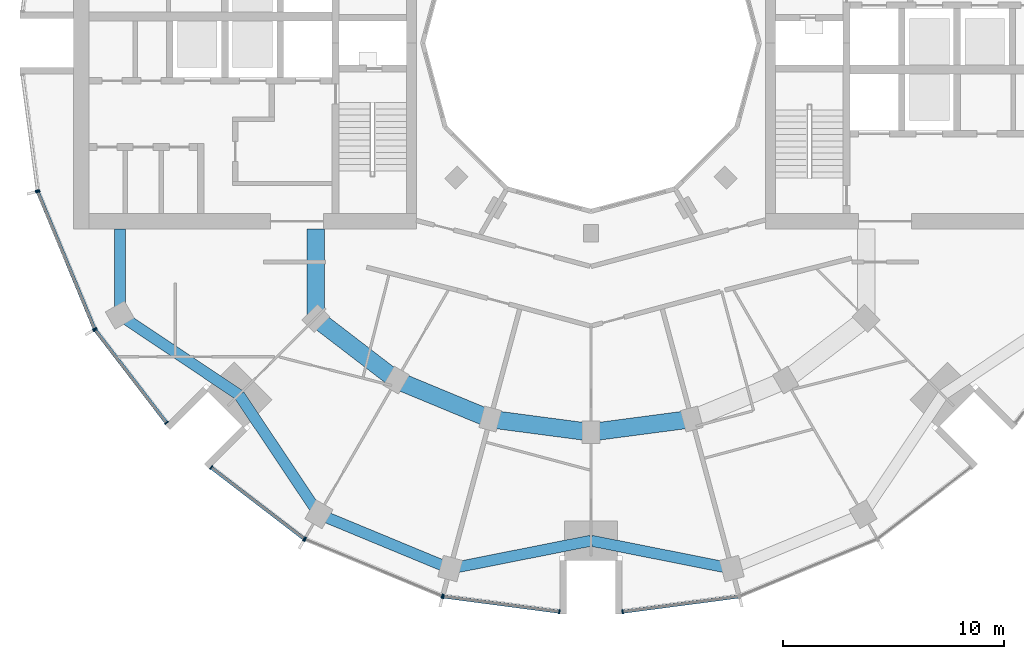
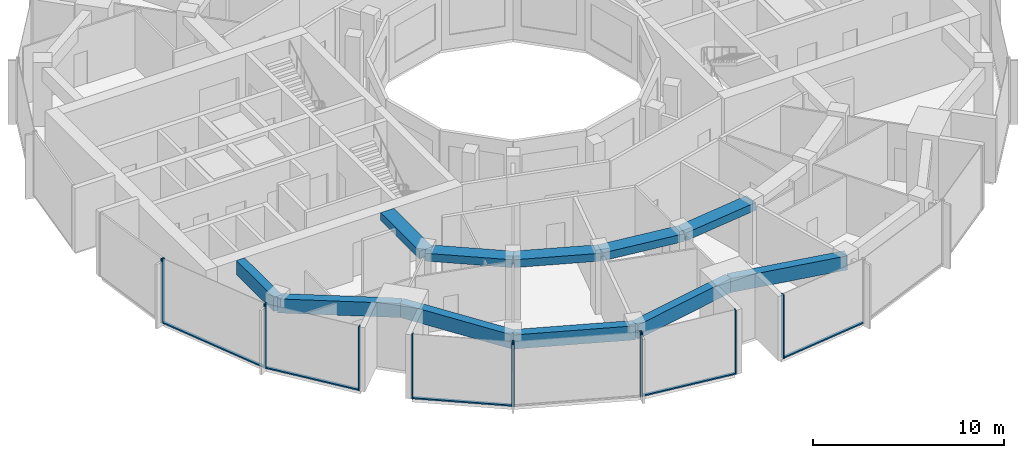
# One storey, part 2 of 15: 17 members, 11 beams, 7 elements without a shape of their own.
"""IFC4 building model written with IfcOpenShell, lengths in metres."""

from ifc_helpers import new_model, si_unit, direction, frame, origin, origin_2d, place, context, subcontext, project, spatial, rectangle, extrude, material, layer, layer_set, material_profile, profile_set, type_object, element, aggregate, save


model = new_model("IFC4")

# Units and contexts
model_context = context("Model", 3, precision=1e-05, world=origin(), true_north=direction((0.0, 1.0)))
body_context = subcontext(model_context, "Body", "Model", "MODEL_VIEW")
ifc_project = project(units=[si_unit("LENGTHUNIT", "METRE"), si_unit("AREAUNIT", "SQUARE_METRE"), si_unit("VOLUMEUNIT", "CUBIC_METRE"), si_unit("PLANEANGLEUNIT", "RADIAN"), si_unit("MASSUNIT", "GRAM", prefix="KILO")], contexts=[model_context])

# Site, building, storey
site_placement = place(None, origin())
site = spatial("IfcSite", under=ifc_project, at=site_placement, CompositionType="ELEMENT")
building_placement = place(site_placement, origin())
building = spatial("IfcBuilding", under=site, at=building_placement, Name="Torre Brocal", CompositionType="ELEMENT")
storey_placement = place(building_placement, frame((0.0, 0.0, 174.10009765625)))
storey = spatial("IfcBuildingStorey", under=building, at=storey_placement, Name="L40", CompositionType="ELEMENT", Elevation=174.10009765625)

# Curtain wall, members
ifc_material_1 = material(Name="Aluminium and glass", Category="aluminium")
ifc_layer_1 = layer(ifc_material_1, 0.199951171875)
ifc_layer_set_1 = layer_set([ifc_layer_1], Name="Aluminium and glass")
curtain_wall_type_1 = type_object("IfcCurtainWallType", Name="CW-1 CURTAIN WALL 4100 HIGH", PredefinedType="NOTDEFINED", material=ifc_layer_set_1)
curtain_wall_1_placement = place(storey_placement, origin())
curtain_wall_1 = element("IfcCurtainWall", 1, at=curtain_wall_1_placement, inside=storey, type_object=curtain_wall_type_1, Name="CW-1 RUN 14", PredefinedType="NOTDEFINED")
ifc_material_2 = material(Name="Aluminium, dark anodised", Category="aluminium")
ifc_material_profile_1 = material_profile(ifc_material_2, rectangle(XDim=0.199951171875, YDim=0.06005859375, at=origin_2d()), Name="CW-1 MULLION 60X200")
ifc_profile_set_1 = profile_set([ifc_material_profile_1], Name="Aluminium, dark anodised")
member_type_1 = type_object("IfcMemberType", Name="CW-1 MULLION 60X200", PredefinedType="MULLION", material=ifc_profile_set_1)
member_1_placement = place(storey_placement, frame((54.994873046875, 68.26904296875, 0.0), z_axis=(0.0, 0.0, 1.0), x_axis=(0.923879532525, 0.382683432333, 0.0)))
member_1 = element("IfcMember", 2, at=member_1_placement, type_object=member_type_1, Name="CW1-4 mullion 1", PredefinedType="MULLION", context=body_context, shape_type="SweptSolid", body=[
    extrude(rectangle(XDim=0.199951171875, YDim=0.06005859375, at=origin_2d()), origin(), (0.0, 0.0, 1.0), 4.099853515625),
])
member_2_placement = place(storey_placement, frame((57.559326171875, 62.078125, 0.0), z_axis=(0.0, 0.0, 1.0), x_axis=(0.923879532525, 0.382683432333, 0.0)))
member_2 = element("IfcMember", 3, at=member_2_placement, type_object=member_type_1, Name="CW1-4 mullion 2", PredefinedType="MULLION", context=body_context, shape_type="SweptSolid", body=[
    extrude(rectangle(XDim=0.199951171875, YDim=0.06005859375, at=origin_2d()), origin(), (0.0, 0.0, 1.0), 4.099853515625),
])

curtain_wall_2_placement = place(storey_placement, origin())
curtain_wall_2 = element("IfcCurtainWall", 4, at=curtain_wall_2_placement, inside=storey, type_object=curtain_wall_type_1, Name="CW-1 RUN 15", PredefinedType="NOTDEFINED")
member_3_placement = place(storey_placement, frame((57.5888671875, 62.026611328125, 0.0), z_axis=(0.0, 0.0, 1.0), x_axis=(0.793353340259, 0.60876142905, 0.0)))
member_3 = element("IfcMember", 5, at=member_3_placement, type_object=member_type_1, Name="CW1-4 mullion 1", PredefinedType="MULLION", context=body_context, shape_type="SweptSolid", body=[
    extrude(rectangle(XDim=0.199951171875, YDim=0.06005859375, at=origin_2d()), origin(), (0.0, 0.0, 1.0), 4.099853515625),
])
member_4_placement = place(storey_placement, frame((60.80859375, 57.83056640625, 0.0), z_axis=(0.0, 0.0, 1.0), x_axis=(0.793353340259, 0.60876142905, 0.0)))
member_4 = element("IfcMember", 6, at=member_4_placement, type_object=member_type_1, Name="CW1-4 mullion 2", PredefinedType="MULLION", context=body_context, shape_type="SweptSolid", body=[
    extrude(rectangle(XDim=0.199951171875, YDim=0.06005859375, at=origin_2d()), origin(), (0.0, 0.0, 1.0), 4.099853515625),
])

curtain_wall_3_placement = place(storey_placement, origin())
curtain_wall_3 = element("IfcCurtainWall", 7, at=curtain_wall_3_placement, inside=storey, type_object=curtain_wall_type_1, Name="CW-1 RUN 16", PredefinedType="NOTDEFINED")
member_5_placement = place(storey_placement, frame((62.83056640625, 55.80859375, 0.0), z_axis=(0.0, 0.0, 1.0), x_axis=(0.60876142905, 0.793353340259, 0.0)))
member_5 = element("IfcMember", 8, at=member_5_placement, type_object=member_type_1, Name="CW1-4 mullion 1", PredefinedType="MULLION", context=body_context, shape_type="SweptSolid", body=[
    extrude(rectangle(XDim=0.199951171875, YDim=0.06005859375, at=origin_2d()), origin(), (0.0, 0.0, 1.0), 4.099853515625),
])
member_6_placement = place(storey_placement, frame((67.026611328125, 52.5888671875, 0.0), z_axis=(0.0, 0.0, 1.0), x_axis=(0.60876142905, 0.793353340259, 0.0)))
member_6 = element("IfcMember", 9, at=member_6_placement, type_object=member_type_1, Name="CW1-4 mullion 2", PredefinedType="MULLION", context=body_context, shape_type="SweptSolid", body=[
    extrude(rectangle(XDim=0.199951171875, YDim=0.06005859375, at=origin_2d()), origin(), (0.0, 0.0, 1.0), 4.099853515625),
])

curtain_wall_4_placement = place(storey_placement, origin())
curtain_wall_4 = element("IfcCurtainWall", 10, at=curtain_wall_4_placement, inside=storey, type_object=curtain_wall_type_1, Name="CW-1 RUN 17", PredefinedType="NOTDEFINED")
member_7_placement = place(storey_placement, frame((67.078125, 52.559326171875, 0.0), z_axis=(0.0, 0.0, 1.0), x_axis=(0.382683432333, 0.923879532525, 0.0)))
member_7 = element("IfcMember", 11, at=member_7_placement, type_object=member_type_1, Name="CW1-4 mullion 1", PredefinedType="MULLION", context=body_context, shape_type="SweptSolid", body=[
    extrude(rectangle(XDim=0.199951171875, YDim=0.06005859375, at=origin_2d()), origin(), (0.0, 0.0, 1.0), 4.099853515625),
])
member_8_placement = place(storey_placement, frame((73.26904296875, 49.994873046875, 0.0), z_axis=(0.0, 0.0, 1.0), x_axis=(0.382683432333, 0.923879532525, 0.0)))
member_8 = element("IfcMember", 12, at=member_8_placement, type_object=member_type_1, Name="CW1-4 mullion 2", PredefinedType="MULLION", context=body_context, shape_type="SweptSolid", body=[
    extrude(rectangle(XDim=0.199951171875, YDim=0.06005859375, at=origin_2d()), origin(), (0.0, 0.0, 1.0), 4.099853515625),
])
aggregate(curtain_wall_4, [member_7, member_8])

curtain_wall_5_placement = place(storey_placement, origin())
curtain_wall_5 = element("IfcCurtainWall", 13, at=curtain_wall_5_placement, inside=storey, type_object=curtain_wall_type_1, Name="CW-1 RUN 18", PredefinedType="NOTDEFINED")
member_9_placement = place(storey_placement, frame((73.32666015625, 49.9794921875, 0.0), z_axis=(0.0, 0.0, 1.0), x_axis=(0.13052619222, 0.991444861374, 0.0)))
member_9 = element("IfcMember", 14, at=member_9_placement, type_object=member_type_1, Name="CW1-4 mullion 1", PredefinedType="MULLION", context=body_context, shape_type="SweptSolid", body=[
    extrude(rectangle(XDim=0.199951171875, YDim=0.06005859375, at=origin_2d()), origin(), (0.0, 0.0, 1.0), 4.099853515625),
])
member_10_placement = place(storey_placement, frame((78.5703125, 49.2890625, 0.0), z_axis=(0.0, 0.0, 1.0), x_axis=(0.13052619222, 0.991444861374, 0.0)))
member_10 = element("IfcMember", 15, at=member_10_placement, type_object=member_type_1, Name="CW1-4 mullion 2", PredefinedType="MULLION", context=body_context, shape_type="SweptSolid", body=[
    extrude(rectangle(XDim=0.199951171875, YDim=0.06005859375, at=origin_2d()), origin(), (0.0, 0.0, 1.0), 4.099853515625),
])

# Curtain wall, member
curtain_wall_6_placement = place(storey_placement, origin())
curtain_wall_6 = element("IfcCurtainWall", 16, at=curtain_wall_6_placement, inside=storey, type_object=curtain_wall_type_1, Name="CW-1 RUN 19", PredefinedType="NOTDEFINED")
member_11_placement = place(storey_placement, frame((81.4296875, 49.2890625, 0.0), z_axis=(0.0, 0.0, 1.0), x_axis=(-0.13052619222, 0.991444861374, 0.0)))
member_11 = element("IfcMember", 17, at=member_11_placement, type_object=member_type_1, Name="CW1-4 mullion 1", PredefinedType="MULLION", context=body_context, shape_type="SweptSolid", body=[
    extrude(rectangle(XDim=0.199951171875, YDim=0.06005859375, at=origin_2d()), origin(), (0.0, 0.0, 1.0), 4.099853515625),
])

# Member
ifc_material_3 = material(Name="Aluminium, dark anodised", Category="aluminium")
ifc_material_profile_2 = material_profile(ifc_material_3, rectangle(XDim=0.159912109375, YDim=0.080078125, at=origin_2d()), Name="CW-1 TRANSOM 160X80")
ifc_profile_set_2 = profile_set([ifc_material_profile_2], Name="Aluminium, dark anodised")
member_type_2 = type_object("IfcMemberType", Name="CW-1 TRANSOM 160X80", PredefinedType="USERDEFINED", material=ifc_profile_set_2)
member_12_placement = place(storey_placement, frame((55.00634765625, 68.241455078125, 0.039794921875), z_axis=(0.38266457234, -0.923887344364, 0.0), x_axis=(0.923887344364, 0.38266457234, 0.0)))
member_12 = element("IfcMember", 18, at=member_12_placement, type_object=member_type_2, Name="CW1-4 transom 1.1", ObjectType="TRANSOM", PredefinedType="USERDEFINED", context=body_context, shape_type="SweptSolid", body=[
    extrude(rectangle(XDim=0.159912109375, YDim=0.080078125, at=origin_2d()), origin(), (0.0, 0.0, 1.0), 6.640869140625),
])

aggregate(curtain_wall_1, [member_1, member_2, member_12])

member_13_placement = place(storey_placement, frame((57.607177734375, 62.0029296875, 0.039794921875), z_axis=(0.60874908096, -0.79336281513, 0.0), x_axis=(0.79336281513, 0.60874908096, 0.0)))
member_13 = element("IfcMember", 19, at=member_13_placement, type_object=member_type_2, Name="CW1-4 transom 1.1", ObjectType="TRANSOM", PredefinedType="USERDEFINED", context=body_context, shape_type="SweptSolid", body=[
    extrude(rectangle(XDim=0.159912109375, YDim=0.080078125, at=origin_2d()), origin(), (0.0, 0.0, 1.0), 5.22900390625),
])

aggregate(curtain_wall_2, [member_3, member_4, member_13])

member_14_placement = place(storey_placement, frame((62.8544921875, 55.790283203125, 0.039794921875), z_axis=(0.79336281513, -0.60874908096, 0.0), x_axis=(0.60874908096, 0.79336281513, 0.0)))
member_14 = element("IfcMember", 20, at=member_14_placement, type_object=member_type_2, Name="CW1-4 transom 1.1", ObjectType="TRANSOM", PredefinedType="USERDEFINED", context=body_context, shape_type="SweptSolid", body=[
    extrude(rectangle(XDim=0.159912109375, YDim=0.080078125, at=origin_2d()), origin(), (0.0, 0.0, 1.0), 5.22900390625),
])

aggregate(curtain_wall_3, [member_5, member_6, member_14])

member_15_placement = place(storey_placement, frame((73.356201171875, 49.9755859375, 0.039794921875), z_axis=(0.991442690863, -0.130542677827, 0.0), x_axis=(0.130542677827, 0.991442690863, 0.0)))
member_15 = element("IfcMember", 21, at=member_15_placement, type_object=member_type_2, Name="CW1-4 transom 1.1", ObjectType="TRANSOM", PredefinedType="USERDEFINED", context=body_context, shape_type="SweptSolid", body=[
    extrude(rectangle(XDim=0.159912109375, YDim=0.080078125, at=origin_2d()), origin(), (0.0, 0.0, 1.0), 5.22900390625),
])

aggregate(curtain_wall_5, [member_9, member_10, member_15])

member_16_placement = place(storey_placement, frame((81.45947265625, 49.29296875, 0.039794921875), z_axis=(0.991442690863, 0.130542677827, 0.0), x_axis=(-0.130542677827, 0.991442690863, 0.0)))
member_16 = element("IfcMember", 22, at=member_16_placement, type_object=member_type_2, Name="CW1-4 transom 1.1", ObjectType="TRANSOM", PredefinedType="USERDEFINED", context=body_context, shape_type="SweptSolid", body=[
    extrude(rectangle(XDim=0.159912109375, YDim=0.080078125, at=origin_2d()), origin(), (0.0, 0.0, 1.0), 5.22900390625),
])

aggregate(curtain_wall_6, [member_11, member_16])

# Curtain wall, member
ifc_material_4 = material(Name="Aluminium and glass", Category="aluminium")
ifc_layer_2 = layer(ifc_material_4, 0.199951171875)
ifc_layer_set_2 = layer_set([ifc_layer_2], Name="Aluminium and glass")
curtain_wall_type_2 = type_object("IfcCurtainWallType", Name="CW-1B CURTAIN WALL 4100 HIGH", PredefinedType="NOTDEFINED", material=ifc_layer_set_2)
curtain_wall_7_placement = place(storey_placement, origin())
curtain_wall_7 = element("IfcCurtainWall", 23, at=curtain_wall_7_placement, inside=storey, type_object=curtain_wall_type_2, Name="CW-1B RUN 13", PredefinedType="NOTDEFINED")
ifc_material_5 = material(Name="Aluminium, dark anodised", Category="aluminium")
ifc_material_profile_3 = material_profile(ifc_material_5, rectangle(XDim=0.199951171875, YDim=0.06005859375, at=origin_2d()), Name="CW-1B MULLION 60X200")
ifc_profile_set_3 = profile_set([ifc_material_profile_3], Name="Aluminium, dark anodised")
member_type_3 = type_object("IfcMemberType", Name="CW-1B MULLION 60X200", PredefinedType="MULLION", material=ifc_profile_set_3)
member_17_placement = place(storey_placement, frame((54.9794921875, 68.32666015625, 0.0), z_axis=(0.0, 0.0, 1.0), x_axis=(0.991444861374, 0.13052619222, 0.0)))
member_17 = element("IfcMember", 24, at=member_17_placement, type_object=member_type_3, Name="CW1B-4 mullion 2", PredefinedType="MULLION", context=body_context, shape_type="SweptSolid", body=[
    extrude(rectangle(XDim=0.199951171875, YDim=0.06005859375, at=origin_2d()), origin(), (0.0, 0.0, 1.0), 4.099853515625),
])
aggregate(curtain_wall_7, [member_17])

# Beams
ifc_material_6 = material(Name="Concrete C50", Category="concrete")
ifc_material_profile_4 = material_profile(ifc_material_6, rectangle(XDim=0.800048828125, YDim=0.5, at=origin_2d()), Name="RC 800X500")
ifc_profile_set_4 = profile_set([ifc_material_profile_4], Name="Concrete C50")
beam_type_1 = type_object("IfcBeamType", Name="RC BEAM 800X500 C50 TOP 3780", PredefinedType="BEAM", material=ifc_profile_set_4)
beam_1_placement = place(storey_placement, frame((67.554931640625, 62.554931640625, 3.52978515625), z_axis=(0.0, 1.0, 0.0), x_axis=(-1.0, 0.0, 0.0)))
element("IfcBeam", 25, at=beam_1_placement, inside=storey, type_object=beam_type_1, Name="Beam BT-32", PredefinedType="BEAM", context=body_context, shape_type="SweptSolid", body=[
    extrude(rectangle(XDim=0.800048828125, YDim=0.5, at=origin_2d()), origin(), (0.0, 0.0, 1.0), 4.045166015625),
])
beam_2_placement = place(storey_placement, frame((67.554931640625, 62.554931640625, 3.52978515625), z_axis=(0.793358265959, -0.6087550097, 0.0), x_axis=(0.6087550097, 0.793358265959, 0.0)))
element("IfcBeam", 26, at=beam_2_placement, inside=storey, type_object=beam_type_1, Name="Beam BT-32", PredefinedType="BEAM", context=body_context, shape_type="SweptSolid", body=[
    extrude(rectangle(XDim=0.800048828125, YDim=0.5, at=origin_2d()), origin(), (0.0, 0.0, 1.0), 4.594482421875),
])
beam_3_placement = place(storey_placement, frame((71.199951171875, 59.758056640625, 3.52978515625), z_axis=(0.923878240166, -0.382686552348, 0.0), x_axis=(0.382686552348, 0.923878240166, 0.0)))
element("IfcBeam", 27, at=beam_3_placement, inside=storey, type_object=beam_type_1, Name="Beam BT-32", PredefinedType="BEAM", context=body_context, shape_type="SweptSolid", body=[
    extrude(rectangle(XDim=0.800048828125, YDim=0.5, at=origin_2d()), origin(), (0.0, 0.0, 1.0), 4.5947265625),
])
for number, where, z_axis, x_axis, name in (
    (28, (75.44482421875, 57.999755859375, 3.52978515625), (0.991440544449, -0.130558978332, 0.0), (0.130558978332, 0.991440544449, 0.0), "Beam BT-32"),
    (29, (80.0, 57.39990234375, 3.52978515625), (0.991440544449, 0.130558978332, 0.0), (-0.130558978332, 0.991440544449, 0.0), "Beam BT-32"),
):
    element("IfcBeam", number, at=place(storey_placement, frame(where, z_axis=z_axis, x_axis=x_axis)), inside=storey, type_object=beam_type_1, Name=name, PredefinedType="BEAM", context=body_context, shape_type="SweptSolid", body=[
        extrude(rectangle(XDim=0.800048828125, YDim=0.5, at=origin_2d()), origin(), (0.0, 0.0, 1.0), 4.594482421875),
    ])
ifc_material_7 = material(Name="Concrete C50", Category="concrete")
ifc_material_profile_5 = material_profile(ifc_material_7, rectangle(XDim=0.5, YDim=0.89990234375, at=origin_2d()), Name="RC 500X900")
ifc_profile_set_5 = profile_set([ifc_material_profile_5], Name="Concrete C50")
beam_type_2 = type_object("IfcBeamType", Name="RC SPANDREL BEAM 500X900 C50 TOP 3780", PredefinedType="SPANDREL", material=ifc_profile_set_5)
beam_4_placement = place(storey_placement, frame((58.69580078125, 62.699951171875, 3.329833984375), z_axis=(0.0, 1.0, 0.0), x_axis=(-1.0, 0.0, 0.0)))
element("IfcBeam", 30, at=beam_4_placement, inside=storey, type_object=beam_type_2, Name="Beam BT-33", PredefinedType="SPANDREL", context=body_context, shape_type="SweptSolid", body=[
    extrude(rectangle(XDim=0.5, YDim=0.89990234375, at=origin_2d()), origin(), (0.0, 0.0, 1.0), 3.900146484375),
])
for number, where, z_axis, x_axis, name in (
    (31, (58.69580078125, 62.699951171875, 3.329833984375), (0.831076844476, -0.556157602282, 0.0), (0.556157602282, 0.831076844476, 0.0), "Beam BT-33"),
    (32, (64.090087890625, 59.090087890625, 3.329833984375), (0.556157602282, -0.831076844476, 0.0), (0.831076844476, 0.556157602282, 0.0), "Beam BT-33"),
):
    element("IfcBeam", number, at=place(storey_placement, frame(where, z_axis=z_axis, x_axis=x_axis)), inside=storey, type_object=beam_type_2, Name=name, PredefinedType="SPANDREL", context=body_context, shape_type="SweptSolid", body=[
        extrude(rectangle(XDim=0.5, YDim=0.89990234375, at=origin_2d()), origin(), (0.0, 0.0, 1.0), 6.49072265625),
    ])
beam_5_placement = place(storey_placement, frame((67.699951171875, 53.69580078125, 3.329833984375), z_axis=(0.923882462513, -0.382676358639, 0.0), x_axis=(0.382676358639, 0.923882462513, 0.0)))
element("IfcBeam", 33, at=beam_5_placement, inside=storey, type_object=beam_type_2, Name="Beam BT-33", PredefinedType="SPANDREL", context=body_context, shape_type="SweptSolid", body=[
    extrude(rectangle(XDim=0.5, YDim=0.89990234375, at=origin_2d()), origin(), (0.0, 0.0, 1.0), 6.421875),
])
for number, where, z_axis, x_axis, name in (
    (34, (73.633056640625, 51.23828125, 3.329833984375), (0.980924907484, 0.194387051723, 0.0), (-0.194387051723, 0.980924907484, 0.0), "Beam BT-33"),
    (35, (80.0, 52.5, 3.329833984375), (0.980924907484, -0.194387051723, 0.0), (0.194387051723, 0.980924907484, 0.0), "Beam BT-33"),
):
    element("IfcBeam", number, at=place(storey_placement, frame(where, z_axis=z_axis, x_axis=x_axis)), inside=storey, type_object=beam_type_2, Name=name, PredefinedType="SPANDREL", context=body_context, shape_type="SweptSolid", body=[
        extrude(rectangle(XDim=0.5, YDim=0.89990234375, at=origin_2d()), origin(), (0.0, 0.0, 1.0), 6.49072265625),
    ])

save(model, "model.ifc")
